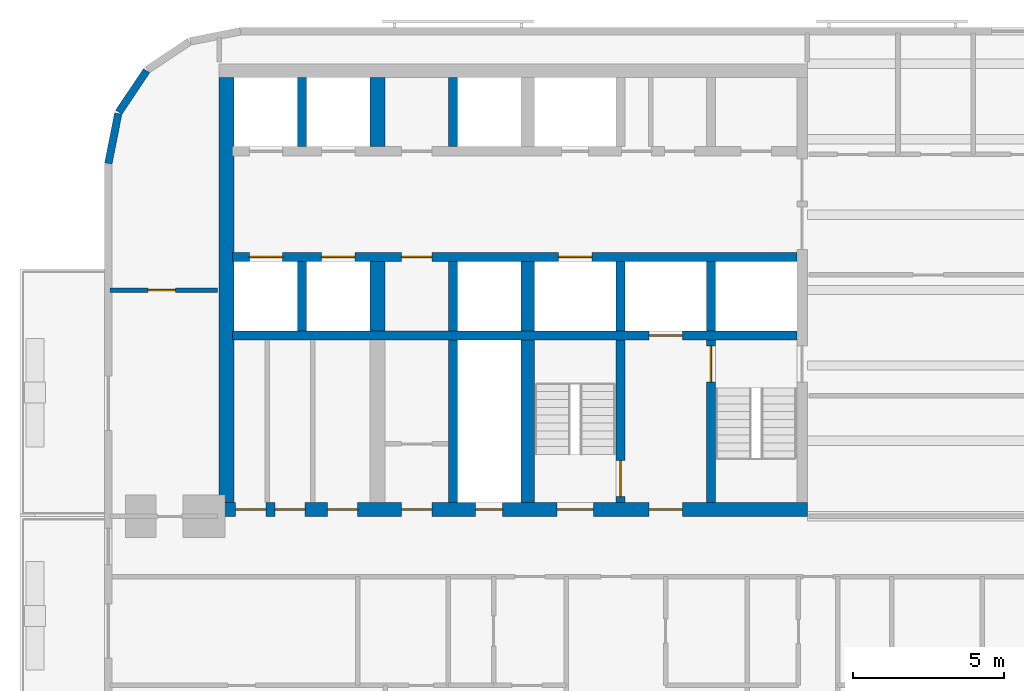
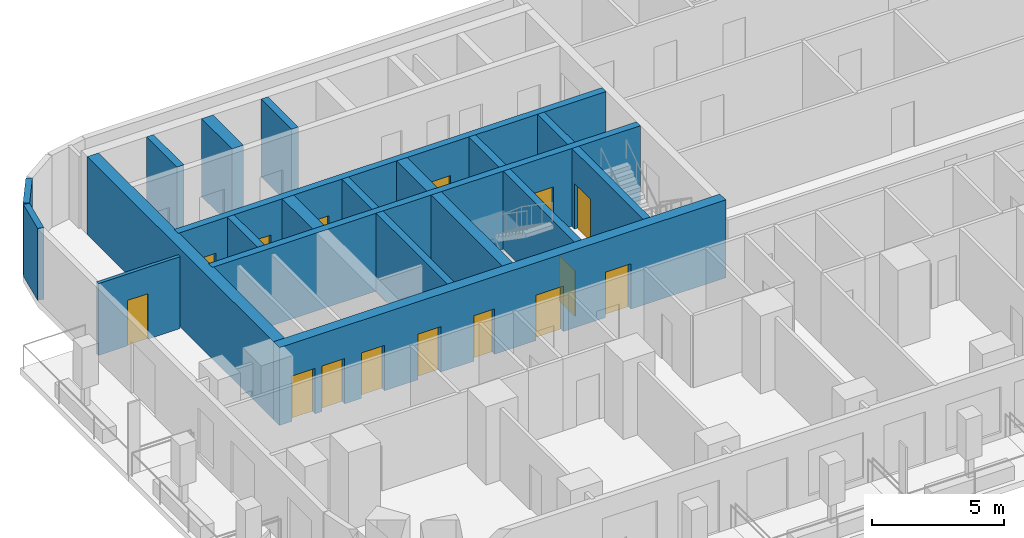
# One storey, part 3 of 15: 20 walls, 15 doors, 15 openings.
"""IFC4 building model written with IfcOpenShell, lengths in metres."""

from ifc_helpers import new_model, si_unit, direction, frame, frame_2d, origin, place, context, subcontext, project, spatial, rectangle, extrude, material, layer, layer_set, type_object, element, fill, save


model = new_model("IFC4")

# Units and contexts
model_context = context("Model", 3, precision=1e-05, world=origin(), true_north=direction((0.0, 1.0)))
body_context = subcontext(model_context, "Body", "Model", "MODEL_VIEW")
ifc_project = project(units=[si_unit("LENGTHUNIT", "METRE"), si_unit("AREAUNIT", "SQUARE_METRE"), si_unit("VOLUMEUNIT", "CUBIC_METRE"), si_unit("PLANEANGLEUNIT", "RADIAN"), si_unit("MASSUNIT", "GRAM", prefix="KILO")], contexts=[model_context])

# Site, building, storey
site_placement = place(None, origin())
site = spatial("IfcSite", under=ifc_project, at=site_placement, CompositionType="ELEMENT")
building_placement = place(site_placement, origin())
building = spatial("IfcBuilding", under=site, at=building_placement, Name="Torana Hotel and Residences", CompositionType="ELEMENT")
storey_placement = place(building_placement, frame((0.0, 0.0, 92.39990234375)))
storey = spatial("IfcBuildingStorey", under=building, at=storey_placement, Name="L23", CompositionType="ELEMENT", Elevation=92.39990234375)

# Wall, openings, doors
ifc_material_1 = material(Name="Concrete C80/95", Category="concrete")
ifc_layer_1 = layer(ifc_material_1, 0.300048828125)
ifc_layer_set_1 = layer_set([ifc_layer_1], Name="CORE WALL 300 C80/95")
wall_type_1 = type_object("IfcWallType", Name="CORE WALL 300 C80/95", PredefinedType="SHEAR", material=ifc_layer_set_1)
wall_1_placement = place(storey_placement, frame((-29.050048828125, -6.39990234375, 0.0), z_axis=(0.0, 0.0, 1.0), x_axis=(1.0, 0.0, 0.0)))
wall_1 = element("IfcWall", 1, at=wall_1_placement, inside=storey, type_object=wall_type_1, Name="Core wall W row-S", PredefinedType="SHEAR", context=body_context, shape_type="SweptSolid", body=[
    extrude(rectangle(XDim=18.699951171875, YDim=0.300048828125, at=frame_2d((9.35009765625, 0.0))), origin(), (0.0, 0.0, 1.0), 3.60009765625),
])
opening_1_placement = place(wall_1_placement, frame((2.949951171875, 0.0, 0.0)))
opening_1 = element("IfcOpeningElement", 2, at=opening_1_placement, cuts=wall_1, Name="Opening LD", PredefinedType="OPENING", context=body_context, shape_type="SweptSolid", body=[
    extrude(rectangle(XDim=1.10009765625, YDim=2.10009765625, at=frame_2d((0.550048828125, 1.050048828125))), frame((0.0, 0.159912109375, 0.0), z_axis=(0.0, -1.0, 0.0), x_axis=(1.0, 0.0, 0.0)), (0.0, 0.0, 1.0), 0.320068359375),
])
opening_2_placement = place(wall_1_placement, frame((0.550048828125, 0.0, 0.0)))
opening_2 = element("IfcOpeningElement", 3, at=opening_2_placement, cuts=wall_1, Name="Opening LD", PredefinedType="OPENING", context=body_context, shape_type="SweptSolid", body=[
    extrude(rectangle(XDim=1.10009765625, YDim=2.10009765625, at=frame_2d((0.550048828125, 1.050048828125))), frame((0.0, 0.159912109375, 0.0), z_axis=(0.0, -1.0, 0.0), x_axis=(1.0, 0.0, 0.0)), (0.0, 0.0, 1.0), 0.320068359375),
])
opening_3_placement = place(wall_1_placement, frame((10.800048828125, 0.0, 0.0)))
opening_3 = element("IfcOpeningElement", 4, at=opening_3_placement, cuts=wall_1, Name="Opening LD", PredefinedType="OPENING", context=body_context, shape_type="SweptSolid", body=[
    extrude(rectangle(XDim=1.10009765625, YDim=2.10009765625, at=frame_2d((0.550048828125, 1.050048828125))), frame((0.0, 0.159912109375, 0.0), z_axis=(0.0, -1.0, 0.0), x_axis=(1.0, 0.0, 0.0)), (0.0, 0.0, 1.0), 0.320068359375),
])
opening_4_placement = place(wall_1_placement, frame((5.60009765625, 0.0, 0.0)))
opening_4 = element("IfcOpeningElement", 5, at=opening_4_placement, cuts=wall_1, Name="Opening L23-16", PredefinedType="OPENING", context=body_context, shape_type="SweptSolid", body=[
    extrude(rectangle(XDim=1.0, YDim=2.10009765625, at=frame_2d((0.5, 1.050048828125))), frame((0.0, 0.159912109375, 0.0), z_axis=(0.0, -1.0, 0.0), x_axis=(1.0, 0.0, 0.0)), (0.0, 0.0, 1.0), 0.320068359375),
])
ifc_material_2 = material(Name="Steel S235", Category="steel")
door_type_1 = type_object("IfcDoorType", Name="CORE ROOM FIRE DOOR D14 1000x2100", OperationType="SINGLE_SWING_LEFT", PredefinedType="DOOR", material=ifc_material_2)
door_1_placement = place(opening_4_placement, frame((0.5, 0.0, 0.0), z_axis=(0.0, 0.0, 1.0), x_axis=(-1.0, 0.0, 0.0)))
door_1 = element("IfcDoor", 6, at=door_1_placement, inside=storey, type_object=door_type_1, Name="Free-M2 door L23", OperationType="SINGLE_SWING_LEFT", OverallHeight=2.10009765625, OverallWidth=1.0, PredefinedType="DOOR", context=body_context, shape_type="SweptSolid", body=[
    extrude(rectangle(XDim=1.0, YDim=2.10009765625, at=frame_2d((0.0, 1.050048828125))), frame((0.0, -0.02490234375, 0.0), z_axis=(0.0, 1.0, 0.0), x_axis=(-1.0, 0.0, 0.0)), (0.0, 0.0, 1.0), 0.050048828125),
])
fill(opening_4, door_1)
ifc_material_3 = material(Name="Stainless steel 316", Category="steel")
door_type_2 = type_object("IfcDoorType", Name="LIFT LANDING DOOR LD 1100x2100", OperationType="DOUBLE_DOOR_SLIDING", PredefinedType="USERDEFINED", material=ifc_material_3)
door_2_placement = place(opening_1_placement, origin())
door_2 = element("IfcDoor", 7, at=door_2_placement, inside=storey, type_object=door_type_2, Name="Lift landing door L3 L23", ObjectType="LIFT LANDING DOOR", OperationType="DOUBLE_DOOR_SLIDING", OverallHeight=2.10009765625, OverallWidth=1.10009765625, PredefinedType="USERDEFINED", context=body_context, shape_type="SweptSolid", body=[
    extrude(rectangle(XDim=1.10009765625, YDim=2.10009765625, at=frame_2d((0.550048828125, 1.050048828125))), frame((0.0, 0.02490234375, 0.0), z_axis=(0.0, -1.0, 0.0), x_axis=(1.0, 0.0, 0.0)), (0.0, 0.0, 1.0), 0.050048828125),
])
fill(opening_1, door_2)
door_3_placement = place(opening_2_placement, origin())
door_3 = element("IfcDoor", 8, at=door_3_placement, inside=storey, type_object=door_type_2, Name="Lift landing door L4 L23", ObjectType="LIFT LANDING DOOR", OperationType="DOUBLE_DOOR_SLIDING", OverallHeight=2.10009765625, OverallWidth=1.10009765625, PredefinedType="USERDEFINED", context=body_context, shape_type="SweptSolid", body=[
    extrude(rectangle(XDim=1.10009765625, YDim=2.10009765625, at=frame_2d((0.550048828125, 1.050048828125))), frame((0.0, 0.02490234375, 0.0), z_axis=(0.0, -1.0, 0.0), x_axis=(1.0, 0.0, 0.0)), (0.0, 0.0, 1.0), 0.050048828125),
])
fill(opening_2, door_3)
door_4_placement = place(opening_3_placement, origin())
door_4 = element("IfcDoor", 9, at=door_4_placement, inside=storey, type_object=door_type_2, Name="Lift landing door SV1 L23", ObjectType="LIFT LANDING DOOR", OperationType="DOUBLE_DOOR_SLIDING", OverallHeight=2.10009765625, OverallWidth=1.10009765625, PredefinedType="USERDEFINED", context=body_context, shape_type="SweptSolid", body=[
    extrude(rectangle(XDim=1.10009765625, YDim=2.10009765625, at=frame_2d((0.550048828125, 1.050048828125))), frame((0.0, 0.02490234375, 0.0), z_axis=(0.0, -1.0, 0.0), x_axis=(1.0, 0.0, 0.0)), (0.0, 0.0, 1.0), 0.050048828125),
])
fill(opening_3, door_4)

# Wall, opening, door
wall_2_placement = place(storey_placement, frame((-29.050048828125, -9.0, 0.0), z_axis=(0.0, 0.0, 1.0), x_axis=(1.0, 0.0, 0.0)))
wall_2 = element("IfcWall", 10, at=wall_2_placement, inside=storey, type_object=wall_type_1, Name="Core wall W band", PredefinedType="SHEAR", context=body_context, shape_type="SweptSolid", body=[
    extrude(rectangle(XDim=18.699951171875, YDim=0.300048828125, at=frame_2d((9.35009765625, 0.0))), origin(), (0.0, 0.0, 1.0), 3.60009765625),
])
opening_5_placement = place(wall_2_placement, frame((13.800048828125, 0.0, 0.0)))
opening_5 = element("IfcOpeningElement", 11, at=opening_5_placement, cuts=wall_2, Name="Opening LD", PredefinedType="OPENING", context=body_context, shape_type="SweptSolid", body=[
    extrude(rectangle(XDim=1.10009765625, YDim=2.10009765625, at=frame_2d((0.550048828125, 1.050048828125))), frame((0.0, 0.159912109375, 0.0), z_axis=(0.0, -1.0, 0.0), x_axis=(1.0, 0.0, 0.0)), (0.0, 0.0, 1.0), 0.320068359375),
])
door_5_placement = place(opening_5_placement, origin())
door_5 = element("IfcDoor", 12, at=door_5_placement, inside=storey, type_object=door_type_2, Name="Lift landing door FF1 L23", ObjectType="LIFT LANDING DOOR", OperationType="DOUBLE_DOOR_SLIDING", OverallHeight=2.10009765625, OverallWidth=1.10009765625, PredefinedType="USERDEFINED", context=body_context, shape_type="SweptSolid", body=[
    extrude(rectangle(XDim=1.10009765625, YDim=2.10009765625, at=frame_2d((0.550048828125, 1.050048828125))), frame((0.0, 0.02490234375, 0.0), z_axis=(0.0, -1.0, 0.0), x_axis=(1.0, 0.0, 0.0)), (0.0, 0.0, 1.0), 0.050048828125),
])
fill(opening_5, door_5)

# Wall
wall_3_placement = place(storey_placement, frame((-13.199951171875, -8.85009765625, 0.0), z_axis=(0.0, 0.0, 1.0), x_axis=(0.0, 1.0, 0.0)))
element("IfcWall", 13, at=wall_3_placement, inside=storey, type_object=wall_type_1, Name="Core wall W x3.05-S", PredefinedType="SHEAR", context=body_context, shape_type="SweptSolid", body=[
    extrude(rectangle(XDim=2.300048828125, YDim=0.300048828125, at=frame_2d((1.14990234375, 0.0))), origin(), (0.0, 0.0, 1.0), 3.60009765625),
])

# Wall, opening, door
wall_4_placement = place(storey_placement, frame((-13.199951171875, -14.550048828125, 0.0), z_axis=(0.0, 0.0, 1.0), x_axis=(0.0, 1.0, 0.0)))
wall_4 = element("IfcWall", 14, at=wall_4_placement, inside=storey, type_object=wall_type_1, Name="Core wall W x3.05-band", PredefinedType="SHEAR", context=body_context, shape_type="SweptSolid", body=[
    extrude(rectangle(XDim=5.400146484375, YDim=0.300048828125, at=frame_2d((2.7001953125, 0.0))), origin(), (0.0, 0.0, 1.0), 3.60009765625),
])
opening_6_placement = place(wall_4_placement, frame((4.0, 0.0, 0.0)))
opening_6 = element("IfcOpeningElement", 15, at=opening_6_placement, cuts=wall_4, Name="Opening L23-17", PredefinedType="OPENING", context=body_context, shape_type="SweptSolid", body=[
    extrude(rectangle(XDim=1.199951171875, YDim=2.10009765625, at=frame_2d((0.60009765625, 1.050048828125))), frame((0.0, 0.159912109375, 0.0), z_axis=(0.0, -1.0, 0.0), x_axis=(1.0, 0.0, 0.0)), (0.0, 0.0, 1.0), 0.320068359375),
])
ifc_material_4 = material(Name="Steel S235", Category="steel")
door_type_3 = type_object("IfcDoorType", Name="STAIR FIRE DOOR D3 1200x2100", OperationType="SINGLE_SWING_LEFT", PredefinedType="DOOR", material=ifc_material_4)
door_6_placement = place(opening_6_placement, frame((0.60009765625, 0.0, 0.0), z_axis=(0.0, 0.0, 1.0), x_axis=(-1.0, 0.0, 0.0)))
door_6 = element("IfcDoor", 16, at=door_6_placement, inside=storey, type_object=door_type_3, Name="Stair-A-lobby door L23", OperationType="SINGLE_SWING_RIGHT", OverallHeight=2.10009765625, OverallWidth=1.199951171875, PredefinedType="DOOR", context=body_context, shape_type="SweptSolid", body=[
    extrude(rectangle(XDim=1.199951171875, YDim=2.10009765625, at=frame_2d((0.0, 1.050048828125))), frame((0.0, -0.02490234375, 0.0), z_axis=(0.0, 1.0, 0.0), x_axis=(-1.0, 0.0, 0.0)), (0.0, 0.0, 1.0), 0.050048828125),
])
fill(opening_6, door_6)

# Wall
wall_5_placement = place(storey_placement, frame((-16.199951171875, -8.85009765625, 0.0), z_axis=(0.0, 0.0, 1.0), x_axis=(0.0, 1.0, 0.0)))
element("IfcWall", 17, at=wall_5_placement, inside=storey, type_object=wall_type_1, Name="Core wall W x6.05-S", PredefinedType="SHEAR", context=body_context, shape_type="SweptSolid", body=[
    extrude(rectangle(XDim=2.300048828125, YDim=0.300048828125, at=frame_2d((1.14990234375, 0.0))), origin(), (0.0, 0.0, 1.0), 3.60009765625),
])

# Wall, opening, door
wall_6_placement = place(storey_placement, frame((-16.199951171875, -14.550048828125, 0.0), z_axis=(0.0, 0.0, 1.0), x_axis=(0.0, 1.0, 0.0)))
wall_6 = element("IfcWall", 18, at=wall_6_placement, inside=storey, type_object=wall_type_1, Name="Core wall W x6.05-band", PredefinedType="SHEAR", context=body_context, shape_type="SweptSolid", body=[
    extrude(rectangle(XDim=5.400146484375, YDim=0.300048828125, at=frame_2d((2.7001953125, 0.0))), origin(), (0.0, 0.0, 1.0), 3.60009765625),
])
opening_7_placement = place(wall_6_placement, frame((0.199951171875, 0.0, 0.0)))
opening_7 = element("IfcOpeningElement", 19, at=opening_7_placement, cuts=wall_6, Name="Opening L23-18", PredefinedType="OPENING", context=body_context, shape_type="SweptSolid", body=[
    extrude(rectangle(XDim=1.199951171875, YDim=2.10009765625, at=frame_2d((0.60009765625, 1.050048828125))), frame((0.0, 0.159912109375, 0.0), z_axis=(0.0, -1.0, 0.0), x_axis=(1.0, 0.0, 0.0)), (0.0, 0.0, 1.0), 0.320068359375),
])
door_7_placement = place(opening_7_placement, origin())
door_7 = element("IfcDoor", 20, at=door_7_placement, inside=storey, type_object=door_type_3, Name="Stair-B-lobby door L23", OperationType="SINGLE_SWING_RIGHT", OverallHeight=2.10009765625, OverallWidth=1.199951171875, PredefinedType="DOOR", context=body_context, shape_type="SweptSolid", body=[
    extrude(rectangle(XDim=1.199951171875, YDim=2.10009765625, at=frame_2d((0.60009765625, 1.050048828125))), frame((0.0, 0.02490234375, 0.0), z_axis=(0.0, -1.0, 0.0), x_axis=(1.0, 0.0, 0.0)), (0.0, 0.0, 1.0), 0.050048828125),
])
fill(opening_7, door_7)

# Walls
for number, where, z_axis, x_axis, name in (
    (21, (-21.75, -2.75, 0.0), (0.0, 0.0, 1.0), (0.0, 1.0, 0.0), "Core wall W mm-N"),
    (22, (-21.75, -8.85009765625, 0.0), (0.0, 0.0, 1.0), (0.0, 1.0, 0.0), "Core wall W mm-S"),
):
    element("IfcWall", number, at=place(storey_placement, frame(where, z_axis=z_axis, x_axis=x_axis)), inside=storey, type_object=wall_type_1, Name=name, PredefinedType="SHEAR", context=body_context, shape_type="SweptSolid", body=[
        extrude(rectangle(XDim=2.300048828125, YDim=0.300048828125, at=frame_2d((1.14990234375, 0.0))), origin(), (0.0, 0.0, 1.0), 3.60009765625),
    ])
wall_7_placement = place(storey_placement, frame((-21.75, -14.550048828125, 0.0), z_axis=(0.0, 0.0, 1.0), x_axis=(0.0, 1.0, 0.0)))
element("IfcWall", 23, at=wall_7_placement, inside=storey, type_object=wall_type_1, Name="Core wall W mm-band", PredefinedType="SHEAR", context=body_context, shape_type="SweptSolid", body=[
    extrude(rectangle(XDim=5.400146484375, YDim=0.300048828125, at=frame_2d((2.7001953125, 0.0))), origin(), (0.0, 0.0, 1.0), 3.60009765625),
])
for number, where, z_axis, x_axis, name in (
    (24, (-26.75, -2.75, 0.0), (0.0, 0.0, 1.0), (0.0, 1.0, 0.0), "Core wall W ll-N"),
    (25, (-26.75, -8.85009765625, 0.0), (0.0, 0.0, 1.0), (0.0, 1.0, 0.0), "Core wall W ll-S"),
):
    element("IfcWall", number, at=place(storey_placement, frame(where, z_axis=z_axis, x_axis=x_axis)), inside=storey, type_object=wall_type_1, Name=name, PredefinedType="SHEAR", context=body_context, shape_type="SweptSolid", body=[
        extrude(rectangle(XDim=2.300048828125, YDim=0.300048828125, at=frame_2d((1.14990234375, 0.0))), origin(), (0.0, 0.0, 1.0), 3.60009765625),
    ])

# Wall, openings, doors
ifc_material_5 = material(Name="Concrete C80/95", Category="concrete")
ifc_layer_2 = layer(ifc_material_5, 0.449951171875)
ifc_layer_set_2 = layer_set([ifc_layer_2], Name="CORE WALL 450 C80/95")
wall_type_2 = type_object("IfcWallType", Name="CORE WALL 450 C80/95", PredefinedType="SHEAR", material=ifc_layer_set_2)
wall_8_placement = place(storey_placement, frame((-29.5, -14.77490234375, 0.0), z_axis=(0.0, 0.0, 1.0), x_axis=(1.0, 0.0, 0.0)))
wall_8 = element("IfcWall", 26, at=wall_8_placement, inside=storey, type_object=wall_type_2, Name="Core wall W front", PredefinedType="SHEAR", context=body_context, shape_type="SweptSolid", body=[
    extrude(rectangle(XDim=19.5, YDim=0.449951171875, at=frame_2d((9.75, 0.0))), origin(), (0.0, 0.0, 1.0), 3.60009765625),
])
opening_8_placement = place(wall_8_placement, frame((11.199951171875, 0.0, 0.0)))
opening_8 = element("IfcOpeningElement", 27, at=opening_8_placement, cuts=wall_8, Name="Opening L23-04", PredefinedType="OPENING", context=body_context, shape_type="SweptSolid", body=[
    extrude(rectangle(XDim=1.199951171875, YDim=2.10009765625, at=frame_2d((0.60009765625, 1.050048828125))), frame((0.0, 0.23486328125, 0.0), z_axis=(0.0, -1.0, 0.0), x_axis=(1.0, 0.0, 0.0)), (0.0, 0.0, 1.0), 0.469970703125),
])
opening_9_placement = place(wall_8_placement, frame((14.25, 0.0, 0.0)))
opening_9 = element("IfcOpeningElement", 28, at=opening_9_placement, cuts=wall_8, Name="Opening L23-05", PredefinedType="OPENING", context=body_context, shape_type="SweptSolid", body=[
    extrude(rectangle(XDim=1.10009765625, YDim=2.10009765625, at=frame_2d((0.550048828125, 1.050048828125))), frame((0.0, 0.23486328125, 0.0), z_axis=(0.0, -1.0, 0.0), x_axis=(1.0, 0.0, 0.0)), (0.0, 0.0, 1.0), 0.469970703125),
])
opening_10_placement = place(wall_8_placement, frame((8.5, 0.0, 0.0)))
opening_10 = element("IfcOpeningElement", 29, at=opening_10_placement, cuts=wall_8, Name="Opening L23-06", PredefinedType="OPENING", context=body_context, shape_type="SweptSolid", body=[
    extrude(rectangle(XDim=0.89990234375, YDim=2.10009765625, at=frame_2d((0.449951171875, 1.050048828125))), frame((0.0, 0.23486328125, 0.0), z_axis=(0.0, -1.0, 0.0), x_axis=(1.0, 0.0, 0.0)), (0.0, 0.0, 1.0), 0.469970703125),
])
opening_11_placement = place(wall_8_placement, frame((6.050048828125, 0.0, 0.0)))
opening_11 = element("IfcOpeningElement", 30, at=opening_11_placement, cuts=wall_8, Name="Opening L23-07", PredefinedType="OPENING", context=body_context, shape_type="SweptSolid", body=[
    extrude(rectangle(XDim=1.0, YDim=2.10009765625, at=frame_2d((0.5, 1.050048828125))), frame((0.0, 0.23486328125, 0.0), z_axis=(0.0, -1.0, 0.0), x_axis=(1.0, 0.0, 0.0)), (0.0, 0.0, 1.0), 0.469970703125),
])
opening_12_placement = place(wall_8_placement, frame((3.58740234375, 0.0, 0.0)))
opening_12 = element("IfcOpeningElement", 31, at=opening_12_placement, cuts=wall_8, Name="Opening L23-08", PredefinedType="OPENING", context=body_context, shape_type="SweptSolid", body=[
    extrude(rectangle(XDim=1.0, YDim=2.10009765625, at=frame_2d((0.5, 1.050048828125))), frame((0.0, 0.23486328125, 0.0), z_axis=(0.0, -1.0, 0.0), x_axis=(1.0, 0.0, 0.0)), (0.0, 0.0, 1.0), 0.469970703125),
])
opening_13_placement = place(wall_8_placement, frame((1.85009765625, 0.0, 0.0)))
opening_13 = element("IfcOpeningElement", 32, at=opening_13_placement, cuts=wall_8, Name="Opening L23-09", PredefinedType="OPENING", context=body_context, shape_type="SweptSolid", body=[
    extrude(rectangle(XDim=1.0, YDim=2.10009765625, at=frame_2d((0.5, 1.050048828125))), frame((0.0, 0.23486328125, 0.0), z_axis=(0.0, -1.0, 0.0), x_axis=(1.0, 0.0, 0.0)), (0.0, 0.0, 1.0), 0.469970703125),
])
opening_14_placement = place(wall_8_placement, frame((0.550048828125, 0.0, 0.0)))
opening_14 = element("IfcOpeningElement", 33, at=opening_14_placement, cuts=wall_8, Name="Opening L23-10", PredefinedType="OPENING", context=body_context, shape_type="SweptSolid", body=[
    extrude(rectangle(XDim=1.0, YDim=2.10009765625, at=frame_2d((0.5, 1.050048828125))), frame((0.0, 0.23486328125, 0.0), z_axis=(0.0, -1.0, 0.0), x_axis=(1.0, 0.0, 0.0)), (0.0, 0.0, 1.0), 0.469970703125),
])
door_8_placement = place(opening_11_placement, origin())
door_8 = element("IfcDoor", 34, at=door_8_placement, inside=storey, type_object=door_type_1, Name="M-Room-B door L23", OperationType="SINGLE_SWING_RIGHT", OverallHeight=2.10009765625, OverallWidth=1.0, PredefinedType="DOOR", context=body_context, shape_type="SweptSolid", body=[
    extrude(rectangle(XDim=1.0, YDim=2.10009765625, at=frame_2d((0.5, 1.050048828125))), frame((0.0, 0.02490234375, 0.0), z_axis=(0.0, -1.0, 0.0), x_axis=(1.0, 0.0, 0.0)), (0.0, 0.0, 1.0), 0.050048828125),
])
fill(opening_11, door_8)
door_9_placement = place(opening_12_placement, origin())
door_9 = element("IfcDoor", 35, at=door_9_placement, inside=storey, type_object=door_type_1, Name="L-A door L23", OperationType="SINGLE_SWING_RIGHT", OverallHeight=2.10009765625, OverallWidth=1.0, PredefinedType="DOOR", context=body_context, shape_type="SweptSolid", body=[
    extrude(rectangle(XDim=1.0, YDim=2.10009765625, at=frame_2d((0.5, 1.050048828125))), frame((0.0, 0.02490234375, 0.0), z_axis=(0.0, -1.0, 0.0), x_axis=(1.0, 0.0, 0.0)), (0.0, 0.0, 1.0), 0.050048828125),
])
fill(opening_12, door_9)
door_10_placement = place(opening_13_placement, origin())
door_10 = element("IfcDoor", 36, at=door_10_placement, inside=storey, type_object=door_type_1, Name="L-B door L23", OperationType="SINGLE_SWING_RIGHT", OverallHeight=2.10009765625, OverallWidth=1.0, PredefinedType="DOOR", context=body_context, shape_type="SweptSolid", body=[
    extrude(rectangle(XDim=1.0, YDim=2.10009765625, at=frame_2d((0.5, 1.050048828125))), frame((0.0, 0.02490234375, 0.0), z_axis=(0.0, -1.0, 0.0), x_axis=(1.0, 0.0, 0.0)), (0.0, 0.0, 1.0), 0.050048828125),
])
fill(opening_13, door_10)
door_11_placement = place(opening_14_placement, origin())
door_11 = element("IfcDoor", 37, at=door_11_placement, inside=storey, type_object=door_type_1, Name="L-C door L23", OperationType="SINGLE_SWING_RIGHT", OverallHeight=2.10009765625, OverallWidth=1.0, PredefinedType="DOOR", context=body_context, shape_type="SweptSolid", body=[
    extrude(rectangle(XDim=1.0, YDim=2.10009765625, at=frame_2d((0.5, 1.050048828125))), frame((0.0, 0.02490234375, 0.0), z_axis=(0.0, -1.0, 0.0), x_axis=(1.0, 0.0, 0.0)), (0.0, 0.0, 1.0), 0.050048828125),
])
fill(opening_14, door_11)
ifc_material_6 = material(Name="Steel S235", Category="steel")
door_type_4 = type_object("IfcDoorType", Name="FIRE-FIGHTING LOBBY DOOR D8 1100x2100", OperationType="SINGLE_SWING_LEFT", PredefinedType="DOOR", material=ifc_material_6)
door_12_placement = place(opening_9_placement, origin())
door_12 = element("IfcDoor", 38, at=door_12_placement, inside=storey, type_object=door_type_4, Name="FF-lobby door L23", OperationType="SINGLE_SWING_RIGHT", OverallHeight=2.10009765625, OverallWidth=1.10009765625, PredefinedType="DOOR", context=body_context, shape_type="SweptSolid", body=[
    extrude(rectangle(XDim=1.10009765625, YDim=2.10009765625, at=frame_2d((0.550048828125, 1.050048828125))), frame((0.0, 0.02490234375, 0.0), z_axis=(0.0, -1.0, 0.0), x_axis=(1.0, 0.0, 0.0)), (0.0, 0.0, 1.0), 0.050048828125),
])
fill(opening_9, door_12)
ifc_material_7 = material(Name="Steel S235", Category="steel")
door_type_5 = type_object("IfcDoorType", Name="RISER ACCESS DOOR D5 900x2100", OperationType="SINGLE_SWING_LEFT", PredefinedType="DOOR", material=ifc_material_7)
door_13_placement = place(opening_10_placement, origin())
door_13 = element("IfcDoor", 39, at=door_13_placement, inside=storey, type_object=door_type_5, Name="M-Riser door L23", OperationType="SINGLE_SWING_RIGHT", OverallHeight=2.10009765625, OverallWidth=0.89990234375, PredefinedType="DOOR", context=body_context, shape_type="SweptSolid", body=[
    extrude(rectangle(XDim=0.89990234375, YDim=2.10009765625, at=frame_2d((0.449951171875, 1.050048828125))), frame((0.0, 0.02490234375, 0.0), z_axis=(0.0, -1.0, 0.0), x_axis=(1.0, 0.0, 0.0)), (0.0, 0.0, 1.0), 0.050048828125),
])
fill(opening_10, door_13)
door_14_placement = place(opening_8_placement, origin())
door_14 = element("IfcDoor", 40, at=door_14_placement, inside=storey, type_object=door_type_3, Name="Stair-B door L23", OperationType="SINGLE_SWING_RIGHT", OverallHeight=2.10009765625, OverallWidth=1.199951171875, PredefinedType="DOOR", context=body_context, shape_type="SweptSolid", body=[
    extrude(rectangle(XDim=1.199951171875, YDim=2.10009765625, at=frame_2d((0.60009765625, 1.050048828125))), frame((0.0, 0.02490234375, 0.0), z_axis=(0.0, -1.0, 0.0), x_axis=(1.0, 0.0, 0.0)), (0.0, 0.0, 1.0), 0.050048828125),
])
fill(opening_8, door_14)

# Walls
wall_9_placement = place(storey_placement, frame((-19.27490234375, -8.85009765625, 0.0), z_axis=(0.0, 0.0, 1.0), x_axis=(0.0, 1.0, 0.0)))
element("IfcWall", 41, at=wall_9_placement, inside=storey, type_object=wall_type_2, Name="Core wall W hm-S", PredefinedType="SHEAR", context=body_context, shape_type="SweptSolid", body=[
    extrude(rectangle(XDim=2.300048828125, YDim=0.449951171875, at=frame_2d((1.14990234375, 0.0))), origin(), (0.0, 0.0, 1.0), 3.60009765625),
])
wall_10_placement = place(storey_placement, frame((-19.27490234375, -14.550048828125, 0.0), z_axis=(0.0, 0.0, 1.0), x_axis=(0.0, 1.0, 0.0)))
element("IfcWall", 42, at=wall_10_placement, inside=storey, type_object=wall_type_2, Name="Core wall W hm-band", PredefinedType="SHEAR", context=body_context, shape_type="SweptSolid", body=[
    extrude(rectangle(XDim=5.400146484375, YDim=0.449951171875, at=frame_2d((2.7001953125, 0.0))), origin(), (0.0, 0.0, 1.0), 3.60009765625),
])
ifc_material_8 = material(Name="Concrete C80/95", Category="concrete")
ifc_layer_3 = layer(ifc_material_8, 0.5)
ifc_layer_set_3 = layer_set([ifc_layer_3], Name="CORE WALL 500 C80/95")
wall_type_3 = type_object("IfcWallType", Name="CORE WALL 500 C80/95", PredefinedType="SHEAR", material=ifc_layer_set_3)
wall_11_placement = place(storey_placement, frame((-29.25, -14.550048828125, 0.0), z_axis=(0.0, 0.0, 1.0), x_axis=(0.0, 1.0, 0.0)))
element("IfcWall", 43, at=wall_11_placement, inside=storey, type_object=wall_type_3, Name="Core wall W outer", PredefinedType="SHEAR", context=body_context, shape_type="SweptSolid", body=[
    extrude(rectangle(XDim=14.10009765625, YDim=0.5, at=frame_2d((7.050048828125, 0.0))), origin(), (0.0, 0.0, 1.0), 3.60009765625),
])
for number, where, z_axis, x_axis, name in (
    (44, (-24.25, -2.75, 0.0), (0.0, 0.0, 1.0), (0.0, 1.0, 0.0), "Core wall W ml-N"),
    (45, (-24.25, -8.85009765625, 0.0), (0.0, 0.0, 1.0), (0.0, 1.0, 0.0), "Core wall W ml-S"),
):
    element("IfcWall", number, at=place(storey_placement, frame(where, z_axis=z_axis, x_axis=x_axis)), inside=storey, type_object=wall_type_3, Name=name, PredefinedType="SHEAR", context=body_context, shape_type="SweptSolid", body=[
        extrude(rectangle(XDim=2.300048828125, YDim=0.5, at=frame_2d((1.14990234375, 0.0))), origin(), (0.0, 0.0, 1.0), 3.60009765625),
    ])
ifc_material_9 = material(Name="Black aluminium composite panel", Category="aluminium")
ifc_layer_4 = layer(ifc_material_9, 0.00390625, Name="Cladding", Category="cladding")
ifc_material_10 = material(Name="Ventilated air cavity")
ifc_layer_5 = layer(ifc_material_10, 0.0400390625, Name="Ventilated cavity", Category="cavity")
ifc_material_11 = material(Name="Mineral wool insulation")
ifc_layer_6 = layer(ifc_material_11, 0.090087890625, Name="Insulation", Category="insulation")
ifc_material_12 = material(Name="Steel S280GD", Category="steel")
ifc_layer_7 = layer(ifc_material_12, 0.092041015625, Name="Steel stud frame", Category="structure")
ifc_material_13 = material(Name="Fire rated plasterboard")
ifc_layer_8 = layer(ifc_material_13, 0.011962890625, Name="Inner board", Category="finish")
ifc_layer_9 = layer(ifc_material_13, 0.011962890625, Name="Second board", Category="finish")
ifc_layer_set_4 = layer_set([ifc_layer_4, ifc_layer_5, ifc_layer_6, ifc_layer_7, ifc_layer_8, ifc_layer_9], Name="EW1 EXTERNAL WALL BLACK METAL CLAD 250")
wall_type_4 = type_object("IfcWallType", Name="EW1 EXTERNAL WALL BLACK METAL CLAD 250", PredefinedType="SOLIDWALL", material=ifc_layer_set_4)
wall_12_placement = place(storey_placement, frame((-31.90576171875, -0.228759765625, 0.0), z_axis=(0.0, 0.0, 1.0), x_axis=(-0.55555029066, -0.831482937015, 0.0)))
element("IfcWall", 46, at=wall_12_placement, inside=storey, type_object=wall_type_4, Name="External wall L23 e0.7", PredefinedType="SOLIDWALL", context=body_context, shape_type="SweptSolid", body=[
    extrude(rectangle(XDim=1.65625, YDim=0.25, at=frame_2d((0.828125, 0.0))), origin(), (0.0, 0.0, 1.0), 3.320068359375),
])
wall_13_placement = place(storey_placement, frame((-32.844482421875, -1.651123046875, 0.0), z_axis=(0.0, 0.0, 1.0), x_axis=(-0.19513878023, -0.980775640221, 0.0)))
element("IfcWall", 47, at=wall_13_placement, inside=storey, type_object=wall_type_4, Name="External wall L23 e0.8", PredefinedType="SOLIDWALL", context=body_context, shape_type="SweptSolid", body=[
    extrude(rectangle(XDim=1.681396484375, YDim=0.25, at=frame_2d((0.8408203125, 0.0))), origin(), (0.0, 0.0, 1.0), 3.320068359375),
])

# Wall, opening, door
ifc_material_14 = material(Name="Ceramic tile on adhesive")
ifc_layer_10 = layer(ifc_material_14, 0.010009765625, Name="Wall tile", Category="finish")
ifc_material_15 = material(Name="Cement render")
ifc_layer_11 = layer(ifc_material_15, 0.010009765625, Name="Render", Category="finish")
ifc_material_16 = material(Name="Concrete blockwork", Category="masonry")
ifc_layer_12 = layer(ifc_material_16, 0.110107421875, Name="Blockwork", Category="structure")
ifc_layer_13 = layer(ifc_material_15, 0.010009765625, Name="Render", Category="finish")
ifc_layer_14 = layer(ifc_material_14, 0.010009765625, Name="Wall tile", Category="finish")
ifc_layer_set_5 = layer_set([ifc_layer_10, ifc_layer_11, ifc_layer_12, ifc_layer_13, ifc_layer_14], Name="WC PARTITION 150")
wall_type_5 = type_object("IfcWallType", Name="WC PARTITION 150", PredefinedType="PLUMBINGWALL", material=ifc_layer_set_5)
wall_14_placement = place(storey_placement, frame((-33.1201171875, -7.5, 0.0), z_axis=(0.0, 0.0, 1.0), x_axis=(1.0, 0.0, 0.0)))
wall_14 = element("IfcWall", 48, at=wall_14_placement, inside=storey, type_object=wall_type_5, Name="Partition L23", PredefinedType="PLUMBINGWALL", context=body_context, shape_type="SweptSolid", body=[
    extrude(rectangle(XDim=3.570068359375, YDim=0.14990234375, at=frame_2d((1.78515625, 0.0))), origin(), (0.0, 0.0, 1.0), 3.320068359375),
])
opening_15_placement = place(wall_14_placement, frame((1.27001953125, 0.0, 0.0)))
opening_15 = element("IfcOpeningElement", 49, at=opening_15_placement, cuts=wall_14, Name="Opening L23-84", PredefinedType="OPENING", context=body_context, shape_type="SweptSolid", body=[
    extrude(rectangle(XDim=0.89990234375, YDim=2.10009765625, at=frame_2d((0.449951171875, 1.050048828125))), frame((0.0, 0.0849609375, 0.0), z_axis=(0.0, -1.0, 0.0), x_axis=(1.0, 0.0, 0.0)), (0.0, 0.0, 1.0), 0.169921875),
])
ifc_material_17 = material(Name="Timber door, oiled ash", Category="wood")
door_type_6 = type_object("IfcDoorType", Name="ROOM DOOR D7 900x2100", OperationType="SINGLE_SWING_LEFT", PredefinedType="DOOR", material=ifc_material_17)
door_15_placement = place(opening_15_placement, origin())
door_15 = element("IfcDoor", 50, at=door_15_placement, inside=storey, type_object=door_type_6, Name="Door L23", OperationType="SINGLE_SWING_RIGHT", OverallHeight=2.10009765625, OverallWidth=0.89990234375, PredefinedType="DOOR", context=body_context, shape_type="SweptSolid", body=[
    extrude(rectangle(XDim=0.89990234375, YDim=2.10009765625, at=frame_2d((0.449951171875, 1.050048828125))), frame((0.0, 0.02490234375, 0.0), z_axis=(0.0, -1.0, 0.0), x_axis=(1.0, 0.0, 0.0)), (0.0, 0.0, 1.0), 0.050048828125),
])
fill(opening_15, door_15)

save(model, "model.ifc")
